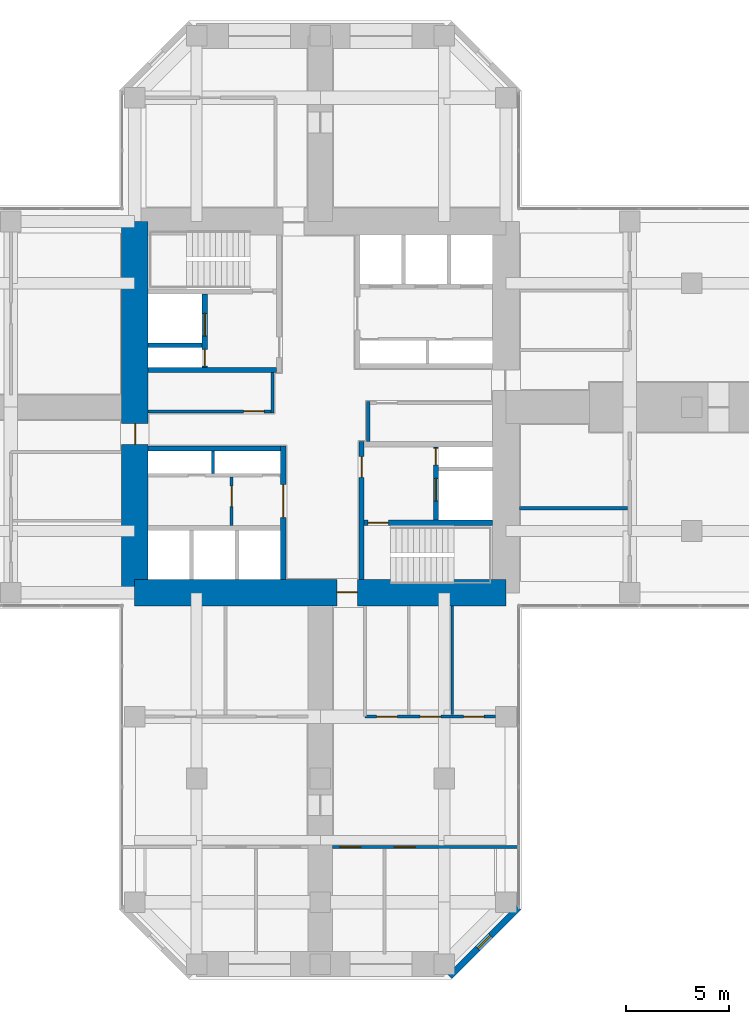
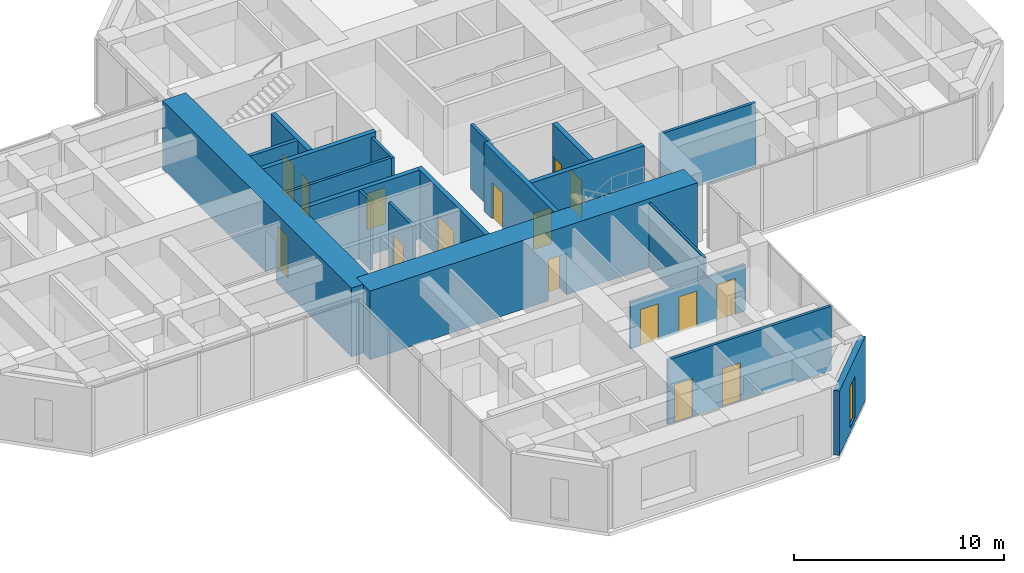
# One storey, part 9 of 13: 20 walls, 16 doors, 1 window, 17 openings.
"""IFC4 building model written with IfcOpenShell, lengths in metres."""

from ifc_helpers import new_model, si_unit, direction, frame, frame_2d, origin, place, context, subcontext, project, spatial, rectangle, hollow_rectangle, extrude, material, layer, layer_set, constituent, constituent_set, type_object, element, fill, save


model = new_model("IFC4")

# Units and contexts
model_context = context("Model", 3, precision=1e-05, world=origin(), true_north=direction((0.0, 1.0)))
body_context = subcontext(model_context, "Body", "Model", "MODEL_VIEW")
ifc_project = project(units=[si_unit("LENGTHUNIT", "METRE"), si_unit("AREAUNIT", "SQUARE_METRE"), si_unit("VOLUMEUNIT", "CUBIC_METRE"), si_unit("PLANEANGLEUNIT", "RADIAN"), si_unit("MASSUNIT", "GRAM", prefix="KILO")], contexts=[model_context])

# Site, building, storey
site_placement = place(None, origin())
site = spatial("IfcSite", under=ifc_project, at=site_placement, CompositionType="ELEMENT")
building_placement = place(site_placement, origin())
building = spatial("IfcBuilding", under=site, at=building_placement, Name="Torre Cruceta", CompositionType="ELEMENT")
storey_placement = place(building_placement, frame((0.0, 0.0, 160.5)))
storey = spatial("IfcBuildingStorey", under=building, at=storey_placement, Name="L39", CompositionType="ELEMENT", Elevation=160.5)

# Wall
ifc_material_1 = material(Name="Concrete G60 (fck 60 MPa)", Category="concrete")
ifc_layer_1 = layer(ifc_material_1, 0.25)
ifc_layer_set_1 = layer_set([ifc_layer_1], Name="Concrete G60 (fck 60 MPa)")
wall_type_1 = type_object("IfcWallType", Name="CORE INNER WALL 250 G60", PredefinedType="SHEAR", material=ifc_layer_set_1)
wall_1_placement = place(storey_placement, frame((-2.125, 1.800048828125, 0.0), z_axis=(0.0, 0.0, 1.0), x_axis=(-1.0, 0.0, 0.0)))
element("IfcWall", 1, at=wall_1_placement, inside=storey, type_object=wall_type_1, Name="CW4 L39 NW-CV", PredefinedType="SHEAR", context=body_context, shape_type="SweptSolid", body=[
    extrude(rectangle(XDim=6.22509765625, YDim=0.25, at=frame_2d((3.112548828125, 0.0))), origin(), (0.0, 0.0, 1.0), 4.0),
])

# Wall, openings, doors
wall_2_placement = place(storey_placement, frame((-5.60009765625, 1.925048828125, 0.0), z_axis=(0.0, 0.0, 1.0), x_axis=(0.0, 1.0, 0.0)))
wall_2 = element("IfcWall", 2, at=wall_2_placement, inside=storey, type_object=wall_type_1, Name="CW4 L39 NW-FU", PredefinedType="SHEAR", context=body_context, shape_type="SweptSolid", body=[
    extrude(rectangle(XDim=3.550048828125, YDim=0.25, at=frame_2d((1.77490234375, 0.0))), origin(), (0.0, 0.0, 1.0), 4.0),
])
opening_1_placement = place(wall_2_placement, frame((1.52490234375, 0.0, 0.0)))
opening_1 = element("IfcOpeningElement", 3, at=opening_1_placement, cuts=wall_2, Name="Opening LD1", PredefinedType="OPENING", context=body_context, shape_type="SweptSolid", body=[
    extrude(rectangle(XDim=1.10009765625, YDim=2.199951171875, at=frame_2d((0.550048828125, 1.10009765625))), frame((0.0, 0.135009765625, 0.0), z_axis=(0.0, -1.0, 0.0), x_axis=(1.0, 0.0, 0.0)), (0.0, 0.0, 1.0), 0.27001953125),
])
opening_2_placement = place(wall_2_placement, frame((0.074951171875, 0.0, 0.0)))
opening_2 = element("IfcOpeningElement", 4, at=opening_2_placement, cuts=wall_2, Name="Opening D5", PredefinedType="OPENING", context=body_context, shape_type="SweptSolid", body=[
    extrude(rectangle(XDim=0.800048828125, YDim=2.10009765625, at=frame_2d((0.39990234375, 1.050048828125))), frame((0.0, 0.135009765625, 0.0), z_axis=(0.0, -1.0, 0.0), x_axis=(1.0, 0.0, 0.0)), (0.0, 0.0, 1.0), 0.27001953125),
])
ifc_material_2 = material(Name="Stainless steel 1.4401", Category="steel")
door_type_1 = type_object("IfcDoorType", Name="LIFT LANDING DOOR 1100X2200", OperationType="DOUBLE_DOOR_SLIDING", PredefinedType="DOOR", material=ifc_material_2)
door_1_placement = place(opening_1_placement, origin())
door_1 = element("IfcDoor", 5, at=door_1_placement, inside=storey, type_object=door_type_1, Name="Lift landing door FL1", OperationType="DOUBLE_DOOR_SLIDING", OverallHeight=2.199951171875, OverallWidth=1.10009765625, PredefinedType="DOOR", context=body_context, shape_type="SweptSolid", body=[
    extrude(rectangle(XDim=1.10009765625, YDim=2.199951171875, at=frame_2d((0.550048828125, 1.10009765625))), frame((0.0, 0.02490234375, 0.0), z_axis=(0.0, -1.0, 0.0), x_axis=(1.0, 0.0, 0.0)), (0.0, 0.0, 1.0), 0.050048828125),
])
fill(opening_1, door_1)
ifc_material_3 = material(Name="Steel DX51D", Category="steel")
ifc_constituent_1 = constituent(ifc_material_3, Name="Leaf and frame")
ifc_material_4 = material(Name="Polyester powder coating", Category="paint")
ifc_constituent_2 = constituent(ifc_material_4, Name="Finish")
ifc_constituent_set_1 = constituent_set(constituents=[ifc_constituent_1, ifc_constituent_2], Name="Steel fire door")
door_type_2 = type_object("IfcDoorType", Name="RISER ACCESS DOOR 800X2100", OperationType="SINGLE_SWING_LEFT", PredefinedType="DOOR", material=ifc_constituent_set_1)
door_2_placement = place(opening_2_placement, origin())
door_2 = element("IfcDoor", 6, at=door_2_placement, inside=storey, type_object=door_type_2, Name="D5 L39 NW-RISER", OperationType="SINGLE_SWING_LEFT", OverallHeight=2.10009765625, OverallWidth=0.800048828125, PredefinedType="DOOR", context=body_context, shape_type="SweptSolid", body=[
    extrude(rectangle(XDim=0.800048828125, YDim=2.10009765625, at=frame_2d((0.39990234375, 1.050048828125))), frame((0.0, 0.02490234375, 0.0), z_axis=(0.0, -1.0, 0.0), x_axis=(1.0, 0.0, 0.0)), (0.0, 0.0, 1.0), 0.050048828125),
])
fill(opening_2, door_2)

# Wall, opening, door
wall_3_placement = place(storey_placement, frame((-1.800048828125, -1.875, 0.0), z_axis=(0.0, 0.0, 1.0), x_axis=(0.0, -1.0, 0.0)))
wall_3 = element("IfcWall", 7, at=wall_3_placement, inside=storey, type_object=wall_type_1, Name="CW4 L39 SW-CU", PredefinedType="SHEAR", context=body_context, shape_type="SweptSolid", body=[
    extrude(rectangle(XDim=6.47509765625, YDim=0.25, at=frame_2d((3.237548828125, 0.0))), origin(), (0.0, 0.0, 1.0), 4.0),
])
opening_3_placement = place(wall_3_placement, frame((1.875, 0.0, 0.0)))
opening_3 = element("IfcOpeningElement", 8, at=opening_3_placement, cuts=wall_3, Name="Opening D15", PredefinedType="OPENING", context=body_context, shape_type="SweptSolid", body=[
    extrude(rectangle(XDim=1.60009765625, YDim=2.39990234375, at=frame_2d((0.800048828125, 1.199951171875))), frame((0.0, 0.135009765625, 0.0), z_axis=(0.0, -1.0, 0.0), x_axis=(1.0, 0.0, 0.0)), (0.0, 0.0, 1.0), 0.27001953125),
])
ifc_material_5 = material(Name="Steel DX51D", Category="steel")
ifc_constituent_3 = constituent(ifc_material_5, Name="Leaf and frame")
ifc_material_6 = material(Name="Polyester powder coating", Category="paint")
ifc_constituent_4 = constituent(ifc_material_6, Name="Finish")
ifc_constituent_set_2 = constituent_set(constituents=[ifc_constituent_3, ifc_constituent_4], Name="Steel fire door")
door_type_3 = type_object("IfcDoorType", Name="CORE ROOM DOUBLE DOOR 1600X2400", OperationType="DOUBLE_DOOR_SINGLE_SWING", PredefinedType="DOOR", material=ifc_constituent_set_2)
door_3_placement = place(opening_3_placement, frame((1.60009765625, 0.0, 0.0), z_axis=(0.0, 0.0, 1.0), x_axis=(-1.0, 0.0, 0.0)))
door_3 = element("IfcDoor", 9, at=door_3_placement, inside=storey, type_object=door_type_3, Name="D15 L39 SW-LOBBY", OperationType="DOUBLE_DOOR_SINGLE_SWING", OverallHeight=2.39990234375, OverallWidth=1.60009765625, PredefinedType="DOOR", context=body_context, shape_type="SweptSolid", body=[
    extrude(rectangle(XDim=1.60009765625, YDim=2.39990234375, at=frame_2d((0.800048828125, 1.199951171875))), frame((0.0, 0.025146484375, 0.0), z_axis=(0.0, -1.0, 0.0), x_axis=(1.0, 0.0, 0.0)), (0.0, 0.0, 1.0), 0.050048828125),
])
fill(opening_3, door_3)

# Wall
wall_4_placement = place(storey_placement, frame((-1.925048828125, -2.0, 0.0), z_axis=(0.0, 0.0, 1.0), x_axis=(-1.0, 0.0, 0.0)))
element("IfcWall", 10, at=wall_4_placement, inside=storey, type_object=wall_type_1, Name="CW4 L39 SW-CV", PredefinedType="SHEAR", context=body_context, shape_type="SweptSolid", body=[
    extrude(rectangle(XDim=6.425048828125, YDim=0.25, at=frame_2d((3.21240234375, 0.0))), origin(), (0.0, 0.0, 1.0), 4.0),
])

# Wall, opening, door
wall_5_placement = place(storey_placement, frame((2.0, -1.675048828125, 0.0), z_axis=(0.0, 0.0, 1.0), x_axis=(0.0, -1.0, 0.0)))
wall_5 = element("IfcWall", 11, at=wall_5_placement, inside=storey, type_object=wall_type_1, Name="CW4 L39 SE-CU", PredefinedType="SHEAR", context=body_context, shape_type="SweptSolid", body=[
    extrude(rectangle(XDim=6.675048828125, YDim=0.25, at=frame_2d((3.33740234375, 0.0))), origin(), (0.0, 0.0, 1.0), 4.0),
])
opening_4_placement = place(wall_5_placement, frame((0.72509765625, 0.0, 0.0)))
opening_4 = element("IfcOpeningElement", 12, at=opening_4_placement, cuts=wall_5, Name="Opening D3", PredefinedType="OPENING", context=body_context, shape_type="SweptSolid", body=[
    extrude(rectangle(XDim=1.0, YDim=2.10009765625, at=frame_2d((0.5, 1.050048828125))), frame((0.0, 0.135009765625, 0.0), z_axis=(0.0, -1.0, 0.0), x_axis=(1.0, 0.0, 0.0)), (0.0, 0.0, 1.0), 0.27001953125),
])
ifc_material_7 = material(Name="Steel DX51D", Category="steel")
ifc_constituent_5 = constituent(ifc_material_7, Name="Leaf and frame")
ifc_material_8 = material(Name="Polyester powder coating", Category="paint")
ifc_constituent_6 = constituent(ifc_material_8, Name="Finish")
ifc_constituent_set_3 = constituent_set(constituents=[ifc_constituent_5, ifc_constituent_6], Name="Steel fire door")
door_type_4 = type_object("IfcDoorType", Name="FIRE DOOR 1000X2100", OperationType="SINGLE_SWING_LEFT", PredefinedType="DOOR", material=ifc_constituent_set_3)
door_4_placement = place(opening_4_placement, origin())
door_4 = element("IfcDoor", 13, at=door_4_placement, inside=storey, type_object=door_type_4, Name="D3 L39 SE-LOBBY", OperationType="SINGLE_SWING_LEFT", OverallHeight=2.10009765625, OverallWidth=1.0, PredefinedType="DOOR", context=body_context, shape_type="SweptSolid", body=[
    extrude(rectangle(XDim=1.0, YDim=2.10009765625, at=frame_2d((0.5, 1.050048828125))), frame((0.0, 0.02490234375, 0.0), z_axis=(0.0, -1.0, 0.0), x_axis=(1.0, 0.0, 0.0)), (0.0, 0.0, 1.0), 0.050048828125),
])
fill(opening_4, door_4)

wall_6_placement = place(storey_placement, frame((2.125, -5.60009765625, 0.0), z_axis=(0.0, 0.0, 1.0), x_axis=(1.0, 0.0, 0.0)))
wall_6 = element("IfcWall", 14, at=wall_6_placement, inside=storey, type_object=wall_type_1, Name="CW4 L39 SE-SV", PredefinedType="SHEAR", context=body_context, shape_type="SweptSolid", body=[
    extrude(rectangle(XDim=6.22509765625, YDim=0.25, at=frame_2d((3.112548828125, 0.0))), origin(), (0.0, 0.0, 1.0), 4.0),
])
opening_5_placement = place(wall_6_placement, frame((0.175048828125, 0.0, 0.0)))
opening_5 = element("IfcOpeningElement", 15, at=opening_5_placement, cuts=wall_6, Name="Opening D3", PredefinedType="OPENING", context=body_context, shape_type="SweptSolid", body=[
    extrude(rectangle(XDim=1.0, YDim=2.10009765625, at=frame_2d((0.5, 1.050048828125))), frame((0.0, 0.135009765625, 0.0), z_axis=(0.0, -1.0, 0.0), x_axis=(1.0, 0.0, 0.0)), (0.0, 0.0, 1.0), 0.27001953125),
])
door_5_placement = place(opening_5_placement, frame((1.0, 0.0, 0.0), z_axis=(0.0, 0.0, 1.0), x_axis=(-1.0, 0.0, 0.0)))
door_5 = element("IfcDoor", 16, at=door_5_placement, inside=storey, type_object=door_type_4, Name="D3 L39 SE-STAIR", OperationType="SINGLE_SWING_RIGHT", OverallHeight=2.10009765625, OverallWidth=1.0, PredefinedType="DOOR", context=body_context, shape_type="SweptSolid", body=[
    extrude(rectangle(XDim=1.0, YDim=2.10009765625, at=frame_2d((0.5, 1.050048828125))), frame((0.0, 0.025146484375, 0.0), z_axis=(0.0, -1.0, 0.0), x_axis=(1.0, 0.0, 0.0)), (0.0, 0.0, 1.0), 0.050048828125),
])
fill(opening_5, door_5)

# Wall, openings, doors
wall_7_placement = place(storey_placement, frame((5.60009765625, -1.925048828125, 0.0), z_axis=(0.0, 0.0, 1.0), x_axis=(0.0, -1.0, 0.0)))
wall_7 = element("IfcWall", 17, at=wall_7_placement, inside=storey, type_object=wall_type_1, Name="CW4 L39 SE-FU", PredefinedType="SHEAR", context=body_context, shape_type="SweptSolid", body=[
    extrude(rectangle(XDim=3.550048828125, YDim=0.25, at=frame_2d((1.77490234375, 0.0))), origin(), (0.0, 0.0, 1.0), 4.0),
])
opening_6_placement = place(wall_7_placement, frame((1.52490234375, 0.0, 0.0)))
opening_6 = element("IfcOpeningElement", 18, at=opening_6_placement, cuts=wall_7, Name="Opening LD1", PredefinedType="OPENING", context=body_context, shape_type="SweptSolid", body=[
    extrude(rectangle(XDim=1.10009765625, YDim=2.199951171875, at=frame_2d((0.550048828125, 1.10009765625))), frame((0.0, 0.135009765625, 0.0), z_axis=(0.0, -1.0, 0.0), x_axis=(1.0, 0.0, 0.0)), (0.0, 0.0, 1.0), 0.27001953125),
])
opening_7_placement = place(wall_7_placement, frame((0.074951171875, 0.0, 0.0)))
opening_7 = element("IfcOpeningElement", 19, at=opening_7_placement, cuts=wall_7, Name="Opening D5", PredefinedType="OPENING", context=body_context, shape_type="SweptSolid", body=[
    extrude(rectangle(XDim=0.800048828125, YDim=2.10009765625, at=frame_2d((0.39990234375, 1.050048828125))), frame((0.0, 0.135009765625, 0.0), z_axis=(0.0, -1.0, 0.0), x_axis=(1.0, 0.0, 0.0)), (0.0, 0.0, 1.0), 0.27001953125),
])
door_6_placement = place(opening_6_placement, origin())
door_6 = element("IfcDoor", 20, at=door_6_placement, inside=storey, type_object=door_type_1, Name="Lift landing door FL2", OperationType="DOUBLE_DOOR_SLIDING", OverallHeight=2.199951171875, OverallWidth=1.10009765625, PredefinedType="DOOR", context=body_context, shape_type="SweptSolid", body=[
    extrude(rectangle(XDim=1.10009765625, YDim=2.199951171875, at=frame_2d((0.550048828125, 1.10009765625))), frame((0.0, 0.02490234375, 0.0), z_axis=(0.0, -1.0, 0.0), x_axis=(1.0, 0.0, 0.0)), (0.0, 0.0, 1.0), 0.050048828125),
])
fill(opening_6, door_6)
door_7_placement = place(opening_7_placement, origin())
door_7 = element("IfcDoor", 21, at=door_7_placement, inside=storey, type_object=door_type_2, Name="D5 L39 SE-RISER", OperationType="SINGLE_SWING_LEFT", OverallHeight=2.10009765625, OverallWidth=0.800048828125, PredefinedType="DOOR", context=body_context, shape_type="SweptSolid", body=[
    extrude(rectangle(XDim=0.800048828125, YDim=2.10009765625, at=frame_2d((0.39990234375, 1.050048828125))), frame((0.0, 0.02490234375, 0.0), z_axis=(0.0, -1.0, 0.0), x_axis=(1.0, 0.0, 0.0)), (0.0, 0.0, 1.0), 0.050048828125),
])
fill(opening_7, door_7)

# Wall, opening, door
ifc_material_9 = material(Name="Concrete G60 (fck 60 MPa)", Category="concrete")
ifc_layer_2 = layer(ifc_material_9, 1.300048828125)
ifc_layer_set_2 = layer_set([ifc_layer_2], Name="Concrete G60 (fck 60 MPa)")
wall_type_2 = type_object("IfcWallType", Name="CORE WALL 1300 G60", PredefinedType="SHEAR", material=ifc_layer_set_2)
wall_8_placement = place(storey_placement, frame((-9.0, -9.0, 0.0), z_axis=(0.0, 0.0, 1.0), x_axis=(1.0, 0.0, 0.0)))
wall_8 = element("IfcWall", 22, at=wall_8_placement, inside=storey, type_object=wall_type_2, Name="CW1 L39 CW-S", PredefinedType="SHEAR", context=body_context, shape_type="SweptSolid", body=[
    extrude(rectangle(XDim=18.0, YDim=1.300048828125, at=frame_2d((9.0, 0.0))), origin(), (0.0, 0.0, 1.0), 4.0),
])
opening_8_placement = place(wall_8_placement, frame((9.800048828125, 0.0, 0.0)))
opening_8 = element("IfcOpeningElement", 23, at=opening_8_placement, cuts=wall_8, Name="Opening D4", PredefinedType="OPENING", context=body_context, shape_type="SweptSolid", body=[
    extrude(rectangle(XDim=1.0, YDim=2.39990234375, at=frame_2d((0.5, 1.199951171875))), frame((0.0, 0.659912109375, 0.0), z_axis=(0.0, -1.0, 0.0), x_axis=(1.0, 0.0, 0.0)), (0.0, 0.0, 1.0), 1.320068359375),
])
ifc_material_10 = material(Name="Steel DX51D", Category="steel")
ifc_constituent_7 = constituent(ifc_material_10, Name="Leaf and frame")
ifc_material_11 = material(Name="Polyester powder coating", Category="paint")
ifc_constituent_8 = constituent(ifc_material_11, Name="Finish")
ifc_constituent_set_4 = constituent_set(constituents=[ifc_constituent_7, ifc_constituent_8], Name="Steel fire door")
door_type_5 = type_object("IfcDoorType", Name="CORE ARM DOOR 1000X2400", OperationType="SINGLE_SWING_RIGHT", PredefinedType="DOOR", material=ifc_constituent_set_4)
door_8_placement = place(opening_8_placement, frame((1.0, 0.0, 0.0), z_axis=(0.0, 0.0, 1.0), x_axis=(-1.0, 0.0, 0.0)))
door_8 = element("IfcDoor", 24, at=door_8_placement, inside=storey, type_object=door_type_5, Name="D4 L39 CW-S", OperationType="SINGLE_SWING_RIGHT", OverallHeight=2.39990234375, OverallWidth=1.0, PredefinedType="DOOR", context=body_context, shape_type="SweptSolid", body=[
    extrude(rectangle(XDim=1.0, YDim=2.39990234375, at=frame_2d((0.5, 1.199951171875))), frame((0.0, -0.005126953125, 0.0), z_axis=(0.0, -1.0, 0.0), x_axis=(1.0, 0.0, 0.0)), (0.0, 0.0, 1.0), 0.050048828125),
])
fill(opening_8, door_8)

wall_9_placement = place(storey_placement, frame((-9.0, 9.0, 0.0), z_axis=(0.0, 0.0, 1.0), x_axis=(0.0, -1.0, 0.0)))
wall_9 = element("IfcWall", 25, at=wall_9_placement, inside=storey, type_object=wall_type_2, Name="CW1 L39 CW-W", PredefinedType="SHEAR", context=body_context, shape_type="SweptSolid", body=[
    extrude(rectangle(XDim=18.0, YDim=1.300048828125, at=frame_2d((9.0, 0.0))), origin(), (0.0, 0.0, 1.0), 4.0),
])
opening_9_placement = place(wall_9_placement, frame((9.800048828125, 0.0, 0.0)))
opening_9 = element("IfcOpeningElement", 26, at=opening_9_placement, cuts=wall_9, Name="Opening D4", PredefinedType="OPENING", context=body_context, shape_type="SweptSolid", body=[
    extrude(rectangle(XDim=1.0, YDim=2.39990234375, at=frame_2d((0.5, 1.199951171875))), frame((0.0, 0.659912109375, 0.0), z_axis=(0.0, -1.0, 0.0), x_axis=(1.0, 0.0, 0.0)), (0.0, 0.0, 1.0), 1.320068359375),
])
door_9_placement = place(opening_9_placement, frame((1.0, 0.0, 0.0), z_axis=(0.0, 0.0, 1.0), x_axis=(-1.0, 0.0, 0.0)))
door_9 = element("IfcDoor", 27, at=door_9_placement, inside=storey, type_object=door_type_5, Name="D4 L39 CW-W", OperationType="SINGLE_SWING_RIGHT", OverallHeight=2.39990234375, OverallWidth=1.0, PredefinedType="DOOR", context=body_context, shape_type="SweptSolid", body=[
    extrude(rectangle(XDim=1.0, YDim=2.39990234375, at=frame_2d((0.5, 1.199951171875))), frame((0.0, -0.005126953125, 0.0), z_axis=(0.0, -1.0, 0.0), x_axis=(1.0, 0.0, 0.0)), (0.0, 0.0, 1.0), 0.050048828125),
])
fill(opening_9, door_9)

# Wall, opening, window
ifc_material_12 = material(Name="Concrete G30 (fck 30 MPa)", Category="concrete")
ifc_layer_3 = layer(ifc_material_12, 0.300048828125)
ifc_layer_set_3 = layer_set([ifc_layer_3], Name="Concrete G30 (fck 30 MPa)")
wall_type_3 = type_object("IfcWallType", Name="EXPOSED CONCRETE FACADE WALL 300", PredefinedType="SOLIDWALL", material=ifc_layer_set_3)
wall_10_placement = place(storey_placement, frame((6.27685546875, -27.60009765625, 0.0), z_axis=(0.0, 0.0, 1.0), x_axis=(0.707106781187, 0.707106781187, 0.0)))
wall_10 = element("IfcWall", 28, at=wall_10_placement, inside=storey, type_object=wall_type_3, Name="EW1 facade wall L39 S chamfer 18", PredefinedType="SOLIDWALL", context=body_context, shape_type="SweptSolid", body=[
    extrude(rectangle(XDim=4.72802734375, YDim=0.300048828125, at=frame_2d((2.364013671875, 0.0))), origin(), (0.0, 0.0, 1.0), 3.75),
])
opening_10_placement = place(wall_10_placement, frame((1.9140625, 0.0, 0.300048828125)))
opening_10 = element("IfcOpeningElement", 29, at=opening_10_placement, cuts=wall_10, Name="Opening WN5", PredefinedType="OPENING", context=body_context, shape_type="SweptSolid", body=[
    extrude(rectangle(XDim=0.89990234375, YDim=2.39990234375, at=frame_2d((0.449951171875, 1.199951171875))), frame((0.0, 0.159912109375, 0.0), z_axis=(0.0, -1.0, 0.0), x_axis=(1.0, 0.0, 0.0)), (0.0, 0.0, 1.0), 0.320068359375),
])
ifc_material_13 = material(Name="Aluminium window frame", Category="aluminium")
ifc_constituent_9 = constituent(ifc_material_13, Name="Frame")
ifc_material_14 = material(Name="Laminated insulating glass unit, low-iron clear", Category="glass")
ifc_constituent_10 = constituent(ifc_material_14, Name="Glazing")
ifc_constituent_set_5 = constituent_set(constituents=[ifc_constituent_9, ifc_constituent_10], Name="Aluminium window")
window_type = type_object("IfcWindowType", Name="CHAMFER SLOT WINDOW 900X2400", PartitioningType="SINGLE_PANEL", PredefinedType="WINDOW", material=ifc_constituent_set_5)
window_placement = place(opening_10_placement, origin())
window = element("IfcWindow", 30, at=window_placement, inside=storey, type_object=window_type, Name="WN5 L39 S 1", OverallHeight=2.39990234375, OverallWidth=0.89990234375, PartitioningType="SINGLE_PANEL", PredefinedType="WINDOW", context=body_context, shape_type="SweptSolid", body=[
    extrude(hollow_rectangle(XDim=0.89990234375, YDim=2.39990234375, WallThickness=0.06005859375, at=frame_2d((0.449951171875, 1.199951171875))), frame((0.0, 0.030029296875, 0.0), z_axis=(0.0, -1.0, 0.0), x_axis=(1.0, 0.0, 0.0)), (0.0, 0.0, 1.0), 0.06005859375),
    extrude(rectangle(XDim=0.77880859375, YDim=2.27880859375, at=frame_2d((0.449951171875, 1.199951171875))), frame((0.0, 0.030029296875, 0.0), z_axis=(0.0, -1.0, 0.0), x_axis=(1.0, 0.0, 0.0)), (0.0, 0.0, 1.0), 0.06005859375),
])
fill(opening_10, window)

# Walls
ifc_material_15 = material(Name="Concrete G35 (fck 35 MPa)", Category="concrete")
ifc_layer_4 = layer(ifc_material_15, 0.199951171875)
ifc_layer_set_4 = layer_set([ifc_layer_4], Name="Concrete G35 (fck 35 MPa)")
wall_type_4 = type_object("IfcWallType", Name="LIFT SHAFT WALL 200", PredefinedType="PARTITIONING", material=ifc_layer_set_4)
wall_11_placement = place(storey_placement, frame((-5.72509765625, 3.0, 0.0), z_axis=(0.0, 0.0, 1.0), x_axis=(-1.0, 0.0, 0.0)))
element("IfcWall", 31, at=wall_11_placement, inside=storey, type_object=wall_type_4, Name="SW1 L39 NW-FR", PredefinedType="PARTITIONING", context=body_context, shape_type="SweptSolid", body=[
    extrude(rectangle(XDim=2.625, YDim=0.199951171875, at=frame_2d((1.3125, 0.0))), origin(), (0.0, 0.0, 1.0), 4.0),
])
ifc_material_16 = material(Name="Plasterboard on steel studs", Category="steel")
ifc_layer_5 = layer(ifc_material_16, 0.14990234375)
ifc_layer_set_5 = layer_set([ifc_layer_5], Name="Plasterboard on steel studs")
wall_type_5 = type_object("IfcWallType", Name="PARTITION 150", PredefinedType="PARTITIONING", material=ifc_layer_set_5)
wall_12_placement = place(storey_placement, frame((2.324951171875, -1.675048828125, 0.0), z_axis=(0.0, 0.0, 1.0), x_axis=(0.0, 1.0, 0.0)))
element("IfcWall", 32, at=wall_12_placement, inside=storey, type_object=wall_type_5, Name="PT1 L39-CORE-LEGE-S-W2", PredefinedType="PARTITIONING", context=body_context, shape_type="SweptSolid", body=[
    extrude(rectangle(XDim=1.949951171875, YDim=0.14990234375, at=frame_2d((0.97509765625, 0.0))), origin(), (0.0, 0.0, 1.0), 3.75),
])

# Wall, opening, door
wall_13_placement = place(storey_placement, frame((-2.324951171875, -0.199951171875, 0.0), z_axis=(0.0, 0.0, 1.0), x_axis=(-1.0, 0.0, 0.0)))
wall_13 = element("IfcWall", 33, at=wall_13_placement, inside=storey, type_object=wall_type_5, Name="PT1 L39-CORE-LEGW-N-W1", PredefinedType="PARTITIONING", context=body_context, shape_type="SweptSolid", body=[
    extrude(rectangle(XDim=6.025146484375, YDim=0.14990234375, at=frame_2d((3.0126953125, 0.0))), origin(), (0.0, 0.0, 1.0), 3.75),
])
opening_11_placement = place(wall_13_placement, frame((0.39990234375, 0.0, 0.0)))
opening_11 = element("IfcOpeningElement", 34, at=opening_11_placement, cuts=wall_13, Name="Opening D3", PredefinedType="OPENING", context=body_context, shape_type="SweptSolid", body=[
    extrude(rectangle(XDim=1.0, YDim=2.10009765625, at=frame_2d((0.5, 1.050048828125))), frame((0.0, 0.0849609375, 0.0), z_axis=(0.0, -1.0, 0.0), x_axis=(1.0, 0.0, 0.0)), (0.0, 0.0, 1.0), 0.169921875),
])
door_10_placement = place(opening_11_placement, frame((1.0, 0.0, 0.0), z_axis=(0.0, 0.0, 1.0), x_axis=(-1.0, 0.0, 0.0)))
door_10 = element("IfcDoor", 35, at=door_10_placement, inside=storey, type_object=door_type_4, Name="D3 L39-CORE-LEGW-N-W1-D1", OperationType="SINGLE_SWING_RIGHT", OverallHeight=2.10009765625, OverallWidth=1.0, PredefinedType="DOOR", context=body_context, shape_type="SweptSolid", body=[
    extrude(rectangle(XDim=1.0, YDim=2.10009765625, at=frame_2d((0.5, 1.050048828125))), frame((0.0, 0.025146484375, 0.0), z_axis=(0.0, -1.0, 0.0), x_axis=(1.0, 0.0, 0.0)), (0.0, 0.0, 1.0), 0.050048828125),
])
fill(opening_11, door_10)

# Wall
wall_14_placement = place(storey_placement, frame((-2.324951171875, 1.675048828125, 0.0), z_axis=(0.0, 0.0, 1.0), x_axis=(0.0, -1.0, 0.0)))
element("IfcWall", 36, at=wall_14_placement, inside=storey, type_object=wall_type_5, Name="PT1 L39-CORE-LEGW-N-W2", PredefinedType="PARTITIONING", context=body_context, shape_type="SweptSolid", body=[
    extrude(rectangle(XDim=1.949951171875, YDim=0.14990234375, at=frame_2d((0.97509765625, 0.0))), origin(), (0.0, 0.0, 1.0), 3.75),
])

# Wall, opening, door
wall_15_placement = place(storey_placement, frame((-4.300048828125, -3.375, 0.0), z_axis=(0.0, 0.0, 1.0), x_axis=(0.0, -1.0, 0.0)))
wall_15 = element("IfcWall", 37, at=wall_15_placement, inside=storey, type_object=wall_type_5, Name="PT1 L39-CORE-SW-X", PredefinedType="PARTITIONING", context=body_context, shape_type="SweptSolid", body=[
    extrude(rectangle(XDim=2.35009765625, YDim=0.14990234375, at=frame_2d((1.175048828125, 0.0))), origin(), (0.0, 0.0, 1.0), 3.75),
])
opening_12_placement = place(wall_15_placement, frame((0.449951171875, 0.0, 0.0)))
opening_12 = element("IfcOpeningElement", 38, at=opening_12_placement, cuts=wall_15, Name="Opening D3", PredefinedType="OPENING", context=body_context, shape_type="SweptSolid", body=[
    extrude(rectangle(XDim=1.0, YDim=2.10009765625, at=frame_2d((0.5, 1.050048828125))), frame((0.0, 0.0849609375, 0.0), z_axis=(0.0, -1.0, 0.0), x_axis=(1.0, 0.0, 0.0)), (0.0, 0.0, 1.0), 0.169921875),
])
door_11_placement = place(opening_12_placement, origin())
door_11 = element("IfcDoor", 39, at=door_11_placement, inside=storey, type_object=door_type_4, Name="D3 L39-CORE-SW-X-D1", OperationType="SINGLE_SWING_LEFT", OverallHeight=2.10009765625, OverallWidth=1.0, PredefinedType="DOOR", context=body_context, shape_type="SweptSolid", body=[
    extrude(rectangle(XDim=1.0, YDim=2.10009765625, at=frame_2d((0.5, 1.050048828125))), frame((0.0, 0.02490234375, 0.0), z_axis=(0.0, -1.0, 0.0), x_axis=(1.0, 0.0, 0.0)), (0.0, 0.0, 1.0), 0.050048828125),
])
fill(opening_12, door_11)

# Wall
wall_16_placement = place(storey_placement, frame((9.64990234375, -4.89990234375, 0.0), z_axis=(0.0, 0.0, 1.0), x_axis=(1.0, 0.0, 0.0)))
element("IfcWall", 40, at=wall_16_placement, inside=storey, type_object=wall_type_5, Name="PT1 L39-E-BDR1", PredefinedType="PARTITIONING", context=body_context, shape_type="SweptSolid", body=[
    extrude(rectangle(XDim=5.25, YDim=0.14990234375, at=frame_2d((2.625, 0.0))), origin(), (0.0, 0.0, 1.0), 3.75),
])

# Wall, openings, doors
wall_17_placement = place(storey_placement, frame((2.175048828125, -15.0, 0.0), z_axis=(0.0, 0.0, 1.0), x_axis=(1.0, 0.0, 0.0)))
wall_17 = element("IfcWall", 41, at=wall_17_placement, inside=storey, type_object=wall_type_5, Name="PT1 L39-S-BFL", PredefinedType="PARTITIONING", context=body_context, shape_type="SweptSolid", body=[
    extrude(rectangle(XDim=6.324951171875, YDim=0.14990234375, at=frame_2d((3.16259765625, 0.0))), origin(), (0.0, 0.0, 1.0), 2.699951171875),
])
opening_13_placement = place(wall_17_placement, frame((0.55419921875, 0.0, 0.0)))
opening_13 = element("IfcOpeningElement", 42, at=opening_13_placement, cuts=wall_17, Name="Opening D3", PredefinedType="OPENING", context=body_context, shape_type="SweptSolid", body=[
    extrude(rectangle(XDim=1.0, YDim=2.10009765625, at=frame_2d((0.5, 1.050048828125))), frame((0.0, 0.0849609375, 0.0), z_axis=(0.0, -1.0, 0.0), x_axis=(1.0, 0.0, 0.0)), (0.0, 0.0, 1.0), 0.169921875),
])
opening_14_placement = place(wall_17_placement, frame((2.66259765625, 0.0, 0.0)))
opening_14 = element("IfcOpeningElement", 43, at=opening_14_placement, cuts=wall_17, Name="Opening D3", PredefinedType="OPENING", context=body_context, shape_type="SweptSolid", body=[
    extrude(rectangle(XDim=1.0, YDim=2.10009765625, at=frame_2d((0.5, 1.050048828125))), frame((0.0, 0.0849609375, 0.0), z_axis=(0.0, -1.0, 0.0), x_axis=(1.0, 0.0, 0.0)), (0.0, 0.0, 1.0), 0.169921875),
])
opening_15_placement = place(wall_17_placement, frame((4.770751953125, 0.0, 0.0)))
opening_15 = element("IfcOpeningElement", 44, at=opening_15_placement, cuts=wall_17, Name="Opening D3", PredefinedType="OPENING", context=body_context, shape_type="SweptSolid", body=[
    extrude(rectangle(XDim=1.0, YDim=2.10009765625, at=frame_2d((0.5, 1.050048828125))), frame((0.0, 0.0849609375, 0.0), z_axis=(0.0, -1.0, 0.0), x_axis=(1.0, 0.0, 0.0)), (0.0, 0.0, 1.0), 0.169921875),
])
door_12_placement = place(opening_13_placement, origin())
door_12 = element("IfcDoor", 45, at=door_12_placement, inside=storey, type_object=door_type_4, Name="D3 L39-S-BFL-D1", OperationType="SINGLE_SWING_LEFT", OverallHeight=2.10009765625, OverallWidth=1.0, PredefinedType="DOOR", context=body_context, shape_type="SweptSolid", body=[
    extrude(rectangle(XDim=1.0, YDim=2.10009765625, at=frame_2d((0.5, 1.050048828125))), frame((0.0, 0.02490234375, 0.0), z_axis=(0.0, -1.0, 0.0), x_axis=(1.0, 0.0, 0.0)), (0.0, 0.0, 1.0), 0.050048828125),
])
fill(opening_13, door_12)
door_13_placement = place(opening_14_placement, origin())
door_13 = element("IfcDoor", 46, at=door_13_placement, inside=storey, type_object=door_type_4, Name="D3 L39-S-BFL-D2", OperationType="SINGLE_SWING_LEFT", OverallHeight=2.10009765625, OverallWidth=1.0, PredefinedType="DOOR", context=body_context, shape_type="SweptSolid", body=[
    extrude(rectangle(XDim=1.0, YDim=2.10009765625, at=frame_2d((0.5, 1.050048828125))), frame((0.0, 0.02490234375, 0.0), z_axis=(0.0, -1.0, 0.0), x_axis=(1.0, 0.0, 0.0)), (0.0, 0.0, 1.0), 0.050048828125),
])
fill(opening_14, door_13)
door_14_placement = place(opening_15_placement, origin())
door_14 = element("IfcDoor", 47, at=door_14_placement, inside=storey, type_object=door_type_4, Name="D3 L39-S-BFL-D3", OperationType="SINGLE_SWING_LEFT", OverallHeight=2.10009765625, OverallWidth=1.0, PredefinedType="DOOR", context=body_context, shape_type="SweptSolid", body=[
    extrude(rectangle(XDim=1.0, YDim=2.10009765625, at=frame_2d((0.5, 1.050048828125))), frame((0.0, 0.02490234375, 0.0), z_axis=(0.0, -1.0, 0.0), x_axis=(1.0, 0.0, 0.0)), (0.0, 0.0, 1.0), 0.050048828125),
])
fill(opening_15, door_14)

wall_18_placement = place(storey_placement, frame((0.60009765625, -21.320068359375, 0.0), z_axis=(0.0, 0.0, 1.0), x_axis=(1.0, 0.0, 0.0)))
wall_18 = element("IfcWall", 48, at=wall_18_placement, inside=storey, type_object=wall_type_5, Name="PT1 L39-S-TWL", PredefinedType="PARTITIONING", context=body_context, shape_type="SweptSolid", body=[
    extrude(rectangle(XDim=8.97998046875, YDim=0.14990234375, at=frame_2d((4.489990234375, 0.0))), origin(), (0.0, 0.0, 1.0), 3.75),
])
opening_16_placement = place(wall_18_placement, frame((0.35009765625, 0.0, 0.0)))
opening_16 = element("IfcOpeningElement", 49, at=opening_16_placement, cuts=wall_18, Name="Opening D14", PredefinedType="OPENING", context=body_context, shape_type="SweptSolid", body=[
    extrude(rectangle(XDim=1.0, YDim=2.199951171875, at=frame_2d((0.5, 1.10009765625))), frame((0.0, 0.0849609375, 0.0), z_axis=(0.0, -1.0, 0.0), x_axis=(1.0, 0.0, 0.0)), (0.0, 0.0, 1.0), 0.169921875),
])
opening_17_placement = place(wall_18_placement, frame((2.992919921875, 0.0, 0.0)))
opening_17 = element("IfcOpeningElement", 50, at=opening_17_placement, cuts=wall_18, Name="Opening D14", PredefinedType="OPENING", context=body_context, shape_type="SweptSolid", body=[
    extrude(rectangle(XDim=1.0, YDim=2.199951171875, at=frame_2d((0.5, 1.10009765625))), frame((0.0, 0.0849609375, 0.0), z_axis=(0.0, -1.0, 0.0), x_axis=(1.0, 0.0, 0.0)), (0.0, 0.0, 1.0), 0.169921875),
])
ifc_material_17 = material(Name="Steel DX51D", Category="steel")
ifc_constituent_11 = constituent(ifc_material_17, Name="Leaf and frame")
ifc_material_18 = material(Name="Polyester powder coating", Category="paint")
ifc_constituent_12 = constituent(ifc_material_18, Name="Finish")
ifc_material_19 = material(Name="Fire-resisting glass", Category="glass")
ifc_constituent_13 = constituent(ifc_material_19, Name="Vision panel")
ifc_constituent_set_6 = constituent_set(constituents=[ifc_constituent_11, ifc_constituent_12, ifc_constituent_13], Name="Steel fire door with vision panel")
door_type_6 = type_object("IfcDoorType", Name="FIRE DOOR VISION PANEL 1000X2200", OperationType="SINGLE_SWING_RIGHT", PredefinedType="DOOR", material=ifc_constituent_set_6)
door_15_placement = place(opening_16_placement, frame((1.0, 0.0, 0.0), z_axis=(0.0, 0.0, 1.0), x_axis=(-1.0, 0.0, 0.0)))
door_15 = element("IfcDoor", 51, at=door_15_placement, inside=storey, type_object=door_type_6, Name="D14 L39-S-TWL-D1", OperationType="SINGLE_SWING_RIGHT", OverallHeight=2.199951171875, OverallWidth=1.0, PredefinedType="DOOR", context=body_context, shape_type="SweptSolid", body=[
    extrude(rectangle(XDim=1.0, YDim=2.199951171875, at=frame_2d((0.5, 1.10009765625))), frame((0.0, 0.025146484375, 0.0), z_axis=(0.0, -1.0, 0.0), x_axis=(1.0, 0.0, 0.0)), (0.0, 0.0, 1.0), 0.050048828125),
])
fill(opening_16, door_15)
door_16_placement = place(opening_17_placement, frame((1.0, 0.0, 0.0), z_axis=(0.0, 0.0, 1.0), x_axis=(-1.0, 0.0, 0.0)))
door_16 = element("IfcDoor", 52, at=door_16_placement, inside=storey, type_object=door_type_6, Name="D14 L39-S-TWL-D2", OperationType="SINGLE_SWING_RIGHT", OverallHeight=2.199951171875, OverallWidth=1.0, PredefinedType="DOOR", context=body_context, shape_type="SweptSolid", body=[
    extrude(rectangle(XDim=1.0, YDim=2.199951171875, at=frame_2d((0.5, 1.10009765625))), frame((0.0, 0.025146484375, 0.0), z_axis=(0.0, -1.0, 0.0), x_axis=(1.0, 0.0, 0.0)), (0.0, 0.0, 1.0), 0.050048828125),
])
fill(opening_17, door_16)

# Walls
ifc_material_20 = material(Name="Concrete block masonry", Category="masonry")
ifc_layer_6 = layer(ifc_material_20, 0.14990234375)
ifc_layer_set_6 = layer_set([ifc_layer_6], Name="Concrete block masonry")
wall_type_6 = type_object("IfcWallType", Name="RISER WALL 150", PredefinedType="PARTITIONING", material=ifc_layer_set_6)
wall_19_placement = place(storey_placement, frame((-5.199951171875, -2.125, 0.0), z_axis=(0.0, 0.0, 1.0), x_axis=(0.0, -1.0, 0.0)))
element("IfcWall", 53, at=wall_19_placement, inside=storey, type_object=wall_type_6, Name="SW7 L39 SW-RU", PredefinedType="PARTITIONING", context=body_context, shape_type="SweptSolid", body=[
    extrude(rectangle(XDim=1.10009765625, YDim=0.14990234375, at=frame_2d((0.550048828125, 0.0))), origin(), (0.0, 0.0, 1.0), 4.0),
])
ifc_material_21 = material(Name="Plasterboard on steel studs", Category="steel")
ifc_layer_7 = layer(ifc_material_21, 0.1201171875)
ifc_layer_set_7 = layer_set([ifc_layer_7], Name="Plasterboard on steel studs")
wall_type_7 = type_object("IfcWallType", Name="WC PARTITION 120", PredefinedType="PLUMBINGWALL", material=ifc_layer_set_7)
wall_20_placement = place(storey_placement, frame((6.3916015625, -9.64990234375, 0.0), z_axis=(0.0, 0.0, 1.0), x_axis=(0.0, -1.0, 0.0)))
element("IfcWall", 54, at=wall_20_placement, inside=storey, type_object=wall_type_7, Name="PT5 L39-S-BDL2", PredefinedType="PLUMBINGWALL", context=body_context, shape_type="SweptSolid", body=[
    extrude(rectangle(XDim=5.25, YDim=0.1201171875, at=frame_2d((2.625, 0.0))), origin(), (0.0, 0.0, 1.0), 3.75),
])

save(model, "model.ifc")
